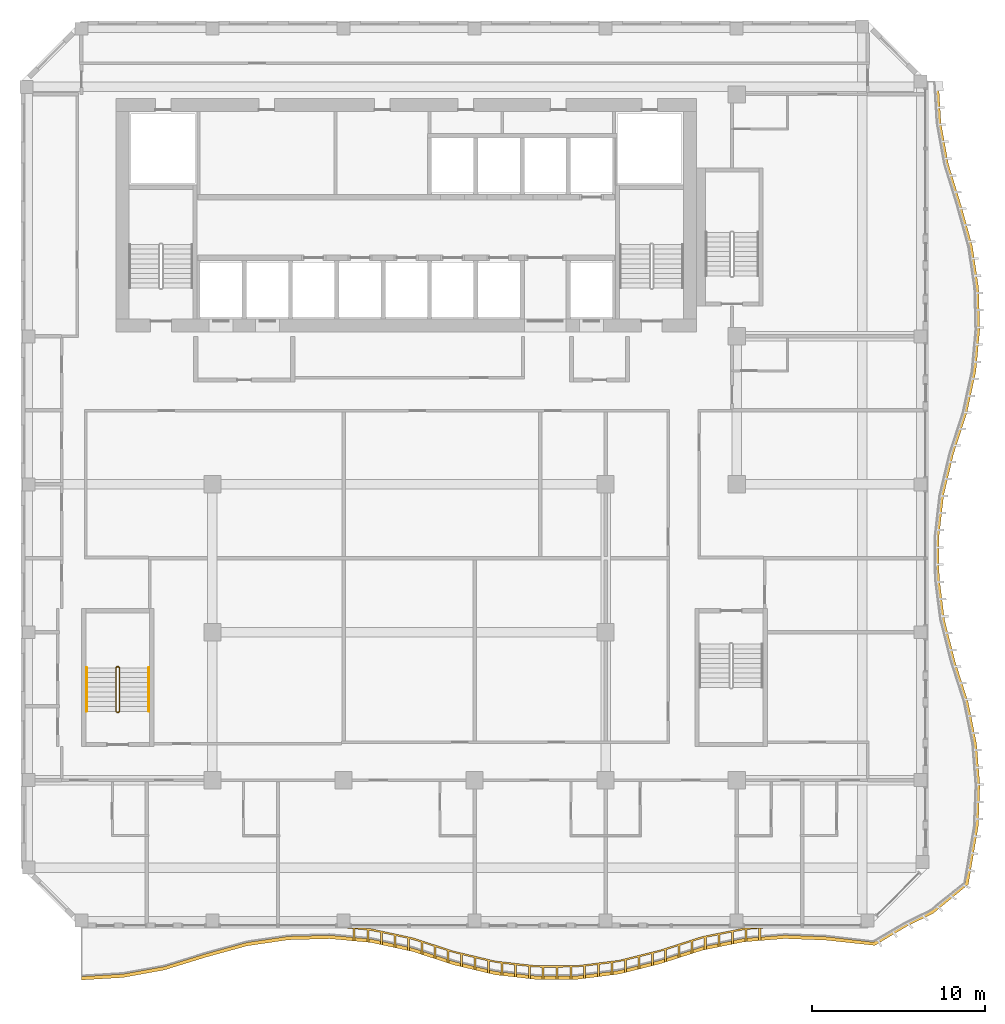
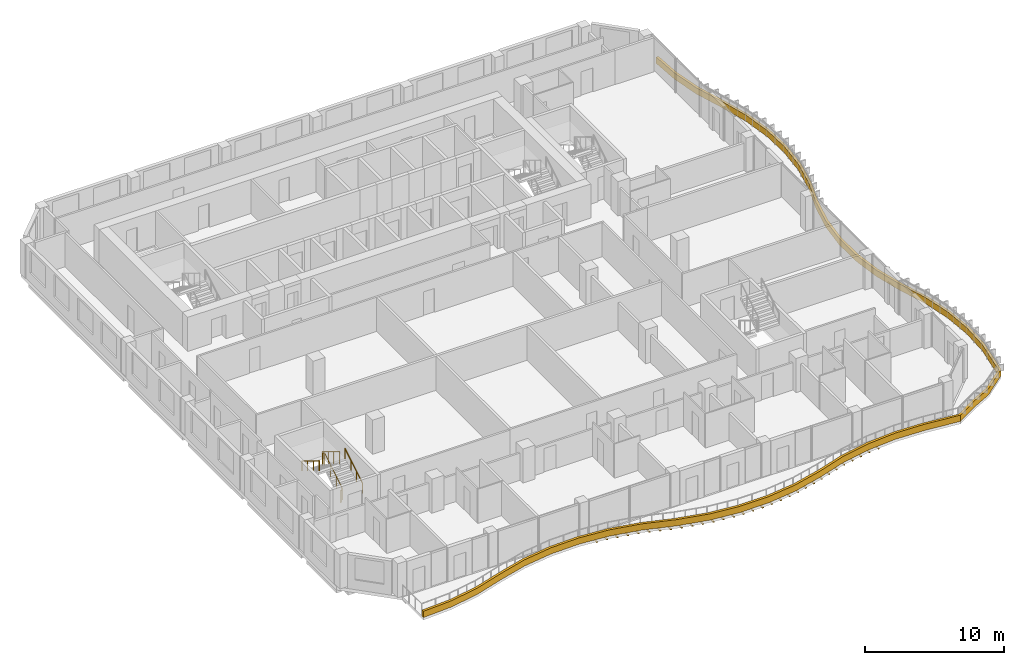
# One storey, part 20 of 22: 3 railings, 2 shading devices.
"""IFC4 building model written with IfcOpenShell, lengths in metres."""

from ifc_helpers import new_model, si_unit, direction, frame, origin, origin_2d, place, context, subcontext, project, spatial, polyline, circle, outline, extrude, source, transform, mapped, material, layer, layer_set, type_object, element, save


model = new_model("IFC4")

# Units and contexts
model_context = context("Model", 3, precision=1e-05, world=origin(), true_north=direction((0.0, 1.0)))
body_context = subcontext(model_context, "Body", "Model", "MODEL_VIEW")
ifc_project = project(units=[si_unit("LENGTHUNIT", "METRE"), si_unit("AREAUNIT", "SQUARE_METRE"), si_unit("VOLUMEUNIT", "CUBIC_METRE"), si_unit("PLANEANGLEUNIT", "RADIAN"), si_unit("MASSUNIT", "GRAM", prefix="KILO")], contexts=[model_context])

# Site, building, storey
site_placement = place(None, origin())
site = spatial("IfcSite", under=ifc_project, at=site_placement, CompositionType="ELEMENT")
building_placement = place(site_placement, origin())
building = spatial("IfcBuilding", under=site, at=building_placement, Name="Kilnfold Tower and Market Hall", CompositionType="ELEMENT")
storey_placement = place(building_placement, frame((0.0, 0.0, 220.300048828125)))
storey = spatial("IfcBuildingStorey", under=building, at=storey_placement, Name="L54", CompositionType="ELEMENT", Elevation=220.300048828125)

# Railings
ifc_material_1 = material(Name="Stainless steel 316", Category="steel")
railing_type_1 = type_object("IfcRailingType", Name="CORE STAIR GUARD 1100", PredefinedType="GUARDRAIL", material=ifc_material_1)
railing_1_placement = place(storey_placement, frame((-15.699951171875, -13.75, 0.0)))
element("IfcRailing", 1, at=railing_1_placement, inside=storey, type_object=railing_type_1, Name="L54 ST3 stair guard 1", PredefinedType="GUARDRAIL", context=body_context, shape_type="SweptSolid", body=[
    extrude(circle(Radius=0.02392578125, at=origin_2d()), frame((0.0, 0.0, 1.076171875), z_axis=(1.0, 0.0, 0.0), x_axis=(0.0, 1.0, 0.0)), (0.0, 0.0, 1.0), 0.099853515625),
    extrude(circle(Radius=0.02392578125, at=origin_2d()), frame((0.099853515625, 0.0, 1.076171875), z_axis=(0.271895245746, 0.271895245746, 0.923117517265), x_axis=(-0.707106781187, 0.707106781187, 0.0)), (0.0, 0.0, 1.0), 0.18408203125),
    extrude(circle(Radius=0.02392578125, at=origin_2d()), frame((0.14990234375, 0.050048828125, 1.24609375), z_axis=(0.0, 0.85478489116, 0.518982456201), x_axis=(-1.0, 0.0, 0.0)), (0.0, 0.0, 1.0), 2.9482421875),
    extrude(circle(Radius=0.02392578125, at=origin_2d()), frame((0.14990234375, 2.570068359375, 2.77587890625), z_axis=(-0.707106781187, 0.707106781187, 0.0), x_axis=(-0.707106781187, -0.707106781187, 0.0)), (0.0, 0.0, 1.0), 0.07080078125),
    extrude(circle(Radius=0.02392578125, at=origin_2d()), frame((0.099853515625, 2.6201171875, 2.77587890625), z_axis=(-1.0, 0.0, 0.0), x_axis=(0.0, -1.0, 0.0)), (0.0, 0.0, 1.0), 0.099853515625),
    extrude(circle(Radius=0.02392578125, at=origin_2d()), frame((0.0, 2.6201171875, 2.77587890625), z_axis=(-0.271895245746, -0.271895245746, 0.923117517265), x_axis=(0.707106781187, -0.707106781187, 0.0)), (0.0, 0.0, 1.0), 0.18408203125),
    extrude(circle(Radius=0.02392578125, at=origin_2d()), frame((-0.050048828125, 2.570068359375, 2.94580078125), z_axis=(0.0, -0.85478489116, 0.518982456201), x_axis=(1.0, 0.0, 0.0)), (0.0, 0.0, 1.0), 2.9482421875),
    extrude(circle(Radius=0.02099609375, at=origin_2d()), origin(), (0.0, 0.0, 1.0), 1.052001953125),
    extrude(circle(Radius=0.02099609375, at=origin_2d()), frame((0.099853515625, 0.0, 0.0)), (0.0, 0.0, 1.0), 1.052001953125),
    extrude(circle(Radius=0.02099609375, at=origin_2d()), frame((0.14990234375, 0.050048828125, 0.169921875)), (0.0, 0.0, 1.0), 1.052001953125),
    extrude(circle(Radius=0.02099609375, at=origin_2d()), frame((0.14990234375, 0.89013671875, 0.679931640625)), (0.0, 0.0, 1.0), 1.052001953125),
    extrude(circle(Radius=0.02099609375, at=origin_2d()), frame((0.14990234375, 1.72998046875, 1.18994140625)), (0.0, 0.0, 1.0), 1.052001953125),
    extrude(circle(Radius=0.02099609375, at=origin_2d()), frame((0.14990234375, 2.570068359375, 1.699951171875)), (0.0, 0.0, 1.0), 1.052001953125),
    extrude(circle(Radius=0.02099609375, at=origin_2d()), frame((0.099853515625, 2.6201171875, 1.699951171875)), (0.0, 0.0, 1.0), 1.052001953125),
    extrude(circle(Radius=0.02099609375, at=origin_2d()), frame((0.0, 2.6201171875, 1.699951171875)), (0.0, 0.0, 1.0), 1.052001953125),
    extrude(circle(Radius=0.02099609375, at=origin_2d()), frame((-0.050048828125, 2.570068359375, 1.869873046875)), (0.0, 0.0, 1.0), 1.052001953125),
    extrude(circle(Radius=0.02099609375, at=origin_2d()), frame((-0.050048828125, 1.72998046875, 2.3798828125)), (0.0, 0.0, 1.0), 1.052001953125),
    extrude(circle(Radius=0.02099609375, at=origin_2d()), frame((-0.050048828125, 0.89013671875, 2.889892578125)), (0.0, 0.0, 1.0), 1.052001953125),
    extrude(circle(Radius=0.02099609375, at=origin_2d()), frame((-0.050048828125, 0.050048828125, 3.39990234375)), (0.0, 0.0, 1.0), 1.052001953125),
])
ifc_material_2 = material(Name="Stainless steel 316", Category="steel")
railing_type_2 = type_object("IfcRailingType", Name="CORE STAIR HANDRAIL 900", PredefinedType="HANDRAIL", material=ifc_material_2)
railing_2_placement = place(storey_placement, frame((-13.85009765625, -13.699951171875, 0.169921875)))
element("IfcRailing", 2, at=railing_2_placement, inside=storey, type_object=railing_type_2, Name="L54 ST3 stair handrail 1", PredefinedType="HANDRAIL", context=body_context, shape_type="SweptSolid", body=[
    extrude(circle(Radius=0.02392578125, at=origin_2d()), frame((0.0, 0.0, 0.8759765625), z_axis=(0.0, 0.85478489116, 0.518982456201), x_axis=(-1.0, 0.0, 0.0)), (0.0, 0.0, 1.0), 2.9482421875),
    extrude(circle(Radius=0.02099609375, at=origin_2d()), origin(), (0.0, 0.0, 1.0), 0.851806640625),
    extrude(circle(Radius=0.02099609375, at=origin_2d()), frame((0.0, 0.840087890625, 0.510009765625)), (0.0, 0.0, 1.0), 0.851806640625),
    extrude(circle(Radius=0.02099609375, at=origin_2d()), frame((0.0, 1.679931640625, 1.02001953125)), (0.0, 0.0, 1.0), 0.851806640625),
    extrude(circle(Radius=0.02099609375, at=origin_2d()), frame((0.0, 2.52001953125, 1.530029296875)), (0.0, 0.0, 1.0), 0.851806640625),
])
railing_3_placement = place(storey_placement, frame((-17.449951171875, -11.179931640625, 1.869873046875)))
element("IfcRailing", 3, at=railing_3_placement, inside=storey, type_object=railing_type_2, Name="L54 ST3 stair handrail 2", PredefinedType="HANDRAIL", context=body_context, shape_type="SweptSolid", body=[
    extrude(circle(Radius=0.02392578125, at=origin_2d()), frame((0.0, 0.0, 0.8759765625), z_axis=(0.0, -0.85478489116, 0.518982456201), x_axis=(1.0, 0.0, 0.0)), (0.0, 0.0, 1.0), 2.9482421875),
    extrude(circle(Radius=0.02099609375, at=origin_2d()), origin(), (0.0, 0.0, 1.0), 0.851806640625),
    extrude(circle(Radius=0.02099609375, at=origin_2d()), frame((0.0, -0.840087890625, 0.510009765625)), (0.0, 0.0, 1.0), 0.851806640625),
    extrude(circle(Radius=0.02099609375, at=origin_2d()), frame((0.0, -1.679931640625, 1.02001953125)), (0.0, 0.0, 1.0), 0.851806640625),
    extrude(circle(Radius=0.02099609375, at=origin_2d()), frame((0.0, -2.52001953125, 1.530029296875)), (0.0, 0.0, 1.0), 0.851806640625),
])

# Shading devices
ifc_material_3 = material(Name="Precast concrete C50/60", Category="concrete")
ifc_layer_1 = layer(ifc_material_3, 0.550048828125)
ifc_layer_set_1 = layer_set([ifc_layer_1], Name="Precast concrete C50/60")
shading_device_type_1 = type_object("IfcShadingDeviceType", Name="BALCONY UPSTAND 550", PredefinedType="USERDEFINED", material=ifc_layer_set_1)
shared_shape_1 = source(origin(), body_context, "Body", "SweptSolid", [
    extrude(outline(polyline([(-17.75, -29.25), (-15.355224609375, -29.107421875), (-12.96044921875, -28.673095703125), (-10.56591796875, -27.933837890625), (-8.171142578125, -27.27685546875), (-5.7763671875, -26.924560546875), (-3.381591796875, -26.86083984375), (-0.98681640625, -27.082763671875), (1.407958984375, -27.600341796875), (3.802490234375, -28.379638671875), (6.197509765625, -28.94970703125), (8.592041015625, -29.221435546875), (10.98681640625, -29.20654296875), (13.381591796875, -28.904541015625), (15.7763671875, -28.3017578125), (18.171142578125, -27.531982421875), (20.56591796875, -27.046142578125), (22.96044921875, -26.854248046875), (25.355224609375, -26.94775390625), (28.163818359375, -27.248779296875), (29.992919921875, -26.159423828125), (31.552734375, -25.385986328125), (33.577392578125, -23.714111328125), (34.152099609375, -20.355224609375), (34.245849609375, -17.96044921875), (34.053955078125, -15.56591796875), (33.568115234375, -13.171142578125), (32.79833984375, -10.7763671875), (32.195556640625, -8.381591796875), (31.893310546875, -5.98681640625), (31.87841796875, -3.592041015625), (32.150146484375, -1.197509765625), (32.720458984375, 1.197509765625), (33.49951171875, 3.592041015625), (34.01708984375, 5.98681640625), (34.2392578125, 8.381591796875), (34.17529296875, 10.7763671875), (33.822998046875, 13.171142578125), (33.166259765625, 15.56591796875), (32.427001953125, 17.96044921875), (31.99267578125, 20.355224609375), (31.85009765625, 22.75), (31.64990234375, 22.75), (31.792724609375, 20.355224609375), (32.226806640625, 17.96044921875), (32.96630859375, 15.56591796875), (33.623046875, 13.171142578125), (33.975341796875, 10.7763671875), (34.039306640625, 8.381591796875), (33.817138671875, 5.98681640625), (33.299560546875, 3.592041015625), (32.5205078125, 1.197509765625), (31.9501953125, -1.197509765625), (31.678466796875, -3.592041015625), (31.693359375, -5.98681640625), (31.99560546875, -8.381591796875), (32.598388671875, -10.7763671875), (33.3681640625, -13.171142578125), (33.85400390625, -15.56591796875), (34.0458984375, -17.96044921875), (33.9521484375, -20.355224609375), (33.392578125, -23.637451171875), (31.411376953125, -25.24462890625), (29.8515625, -26.01806640625), (28.087158203125, -27.06396484375), (25.355224609375, -26.747802734375), (22.96044921875, -26.654296875), (20.56591796875, -26.84619140625), (18.171142578125, -27.331787109375), (15.7763671875, -28.101806640625), (13.381591796875, -28.70458984375), (10.98681640625, -29.006591796875), (8.592041015625, -29.021484375), (6.197509765625, -28.749755859375), (3.802490234375, -28.1796875), (1.407958984375, -27.400390625), (-0.98681640625, -26.8828125), (-3.381591796875, -26.660888671875), (-5.7763671875, -26.724609375), (-8.171142578125, -27.076904296875), (-10.56591796875, -27.73388671875), (-12.96044921875, -28.47314453125), (-15.355224609375, -28.9072265625), (-17.75, -29.050048828125), (-17.75, -29.25)])), origin(), (0.0, 0.0, 1.0), 0.550048828125),
])
shading_device_1_placement = place(storey_placement, origin())
element("IfcShadingDevice", 4, at=shading_device_1_placement, inside=storey, type_object=shading_device_type_1, Name="Balcony fascia L54", ObjectType="FASCIA", PredefinedType="USERDEFINED", context=body_context, shape_type="MappedRepresentation", body=[
    mapped(shared_shape_1, transform((0.0, 0.0, 0.0))),
])
ifc_material_4 = material(Name="Bronze anodised aluminium", Category="aluminium")
ifc_layer_2 = layer(ifc_material_4, 0.080078125)
ifc_layer_set_2 = layer_set([ifc_layer_2], Name="Bronze anodised aluminium")
shading_device_type_2 = type_object("IfcShadingDeviceType", Name="BRONZE SLAT SOFFIT 80", PredefinedType="USERDEFINED", material=ifc_layer_set_2)
shared_shape_2 = source(origin(), body_context, "Body", "SweptSolid", [
    extrude(outline(polyline([(-0.98681640625, -26.28271484375), (1.407958984375, -26.80029296875), (3.802490234375, -27.57958984375), (6.197509765625, -28.14990234375), (8.592041015625, -28.42138671875), (10.98681640625, -28.406494140625), (13.381591796875, -28.1044921875), (15.7763671875, -27.501708984375), (18.171142578125, -26.73193359375), (20.546630859375, -26.25), (21.764892578125, -26.25), (21.562255859375, -26.26611328125), (21.562255859375, -26.96630859375), (21.442626953125, -26.975830078125), (21.442626953125, -26.27587890625), (20.764892578125, -26.330078125), (20.764892578125, -27.0302734375), (20.645263671875, -27.039794921875), (20.645263671875, -26.339599609375), (19.977294921875, -26.465576171875), (19.977294921875, -27.16552734375), (19.85986328125, -27.189208984375), (19.85986328125, -26.4892578125), (19.193359375, -26.62451171875), (19.193359375, -27.324462890625), (19.07568359375, -27.348388671875), (19.07568359375, -26.6484375), (18.409423828125, -26.78369140625), (18.409423828125, -27.483642578125), (18.291748046875, -27.50732421875), (18.291748046875, -26.807373046875), (17.640869140625, -27.002197265625), (17.640869140625, -27.702392578125), (17.526611328125, -27.739013671875), (17.526611328125, -27.0390625), (16.87939453125, -27.2470703125), (16.87939453125, -27.947021484375), (16.76513671875, -27.98388671875), (16.76513671875, -27.283935546875), (16.11767578125, -27.491943359375), (16.11767578125, -28.19189453125), (16.00341796875, -28.228759765625), (16.00341796875, -27.52880859375), (15.348388671875, -27.70947265625), (15.348388671875, -28.409423828125), (15.23193359375, -28.438720703125), (15.23193359375, -27.73876953125), (14.572509765625, -27.90478515625), (14.572509765625, -28.604736328125), (14.4560546875, -28.634033203125), (14.4560546875, -27.93408203125), (13.796630859375, -28.10009765625), (13.796630859375, -28.800048828125), (13.680419921875, -28.829345703125), (13.680419921875, -28.12939453125), (13.012451171875, -28.251220703125), (13.012451171875, -28.951171875), (12.8935546875, -28.966064453125), (12.8935546875, -28.26611328125), (12.21875, -28.351318359375), (12.21875, -29.05126953125), (12.099853515625, -29.066162109375), (12.099853515625, -28.3662109375), (11.425048828125, -28.451416015625), (11.425048828125, -29.1513671875), (11.30615234375, -29.166259765625), (11.30615234375, -28.46630859375), (10.628662109375, -28.5087890625), (10.628662109375, -29.208740234375), (10.508544921875, -29.209716796875), (10.508544921875, -28.509521484375), (9.82861328125, -28.513916015625), (9.82861328125, -29.2138671875), (9.70849609375, -29.214599609375), (9.70849609375, -28.5146484375), (9.028564453125, -28.518798828125), (9.028564453125, -29.21875), (8.90869140625, -29.219482421875), (8.90869140625, -28.51953125), (8.23095703125, -28.48046875), (8.23095703125, -29.180419921875), (8.11181640625, -29.1669921875), (8.11181640625, -28.467041015625), (7.43603515625, -28.390380859375), (7.43603515625, -29.09033203125), (7.31689453125, -29.076904296875), (7.31689453125, -28.376708984375), (6.64111328125, -28.300048828125), (6.64111328125, -29.0), (6.52197265625, -28.986572265625), (6.52197265625, -28.28662109375), (5.853515625, -28.16796875), (5.853515625, -28.867919921875), (5.73681640625, -28.840087890625), (5.73681640625, -28.14013671875), (5.075439453125, -27.982666015625), (5.075439453125, -28.6826171875), (4.95849609375, -28.65478515625), (4.95849609375, -27.954833984375), (4.297119140625, -27.79736328125), (4.297119140625, -28.497314453125), (4.180419921875, -28.469482421875), (4.180419921875, -27.76953125), (3.525390625, -27.58935546875), (3.525390625, -28.289306640625), (3.4111328125, -28.252197265625), (3.4111328125, -27.55224609375), (2.764404296875, -27.341796875), (2.764404296875, -28.041748046875), (2.650390625, -28.004638671875), (2.650390625, -27.3046875), (2.00390625, -27.09423828125), (2.00390625, -27.794189453125), (1.8896484375, -27.757080078125), (1.8896484375, -27.05712890625), (1.23828125, -26.86376953125), (1.23828125, -27.563720703125), (1.12109375, -27.538330078125), (1.12109375, -26.83837890625), (0.45654296875, -26.69482421875), (0.45654296875, -27.394775390625), (0.339111328125, -27.369384765625), (0.339111328125, -26.66943359375), (-0.325439453125, -26.525634765625), (-0.325439453125, -27.2255859375), (-0.442626953125, -27.200439453125), (-0.442626953125, -26.50048828125), (-1.109619140625, -26.371337890625), (-1.109619140625, -27.0712890625), (-1.22900390625, -27.060302734375), (-1.22900390625, -26.3603515625), (-1.90625, -26.297607421875), (-1.90625, -26.99755859375), (-2.025634765625, -26.986572265625), (-2.025634765625, -26.28662109375), (-2.41943359375, -26.25), (-1.340576171875, -26.25), (-0.98681640625, -26.28271484375)])), origin(), (0.0, 0.0, 1.0), 0.080078125),
])
shading_device_2_placement = place(storey_placement, frame((0.0, 0.0, -0.300048828125)))
element("IfcShadingDevice", 5, at=shading_device_2_placement, inside=storey, type_object=shading_device_type_2, Name="Balcony soffit slats L54", ObjectType="SLAT", PredefinedType="USERDEFINED", context=body_context, shape_type="MappedRepresentation", body=[
    mapped(shared_shape_2, transform((0.0, 0.0, 0.0))),
])

save(model, "model.ifc")
